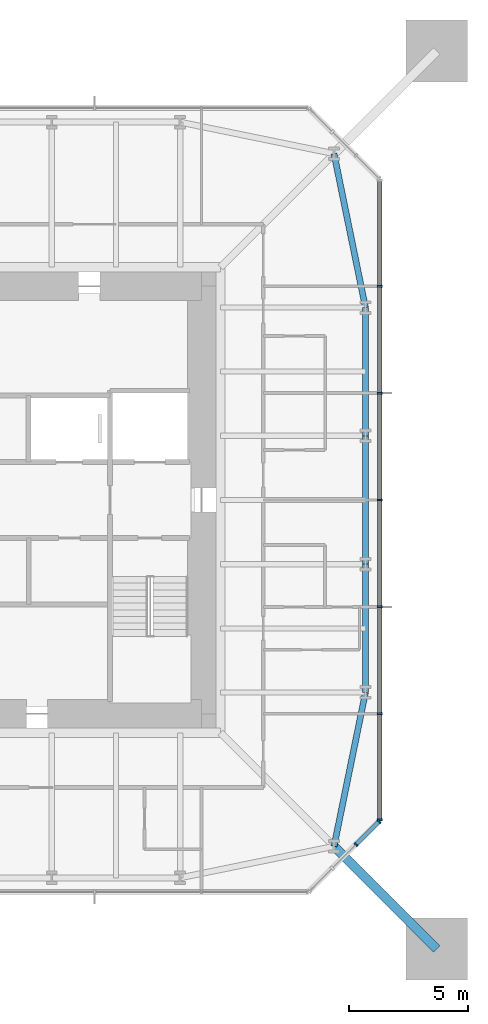
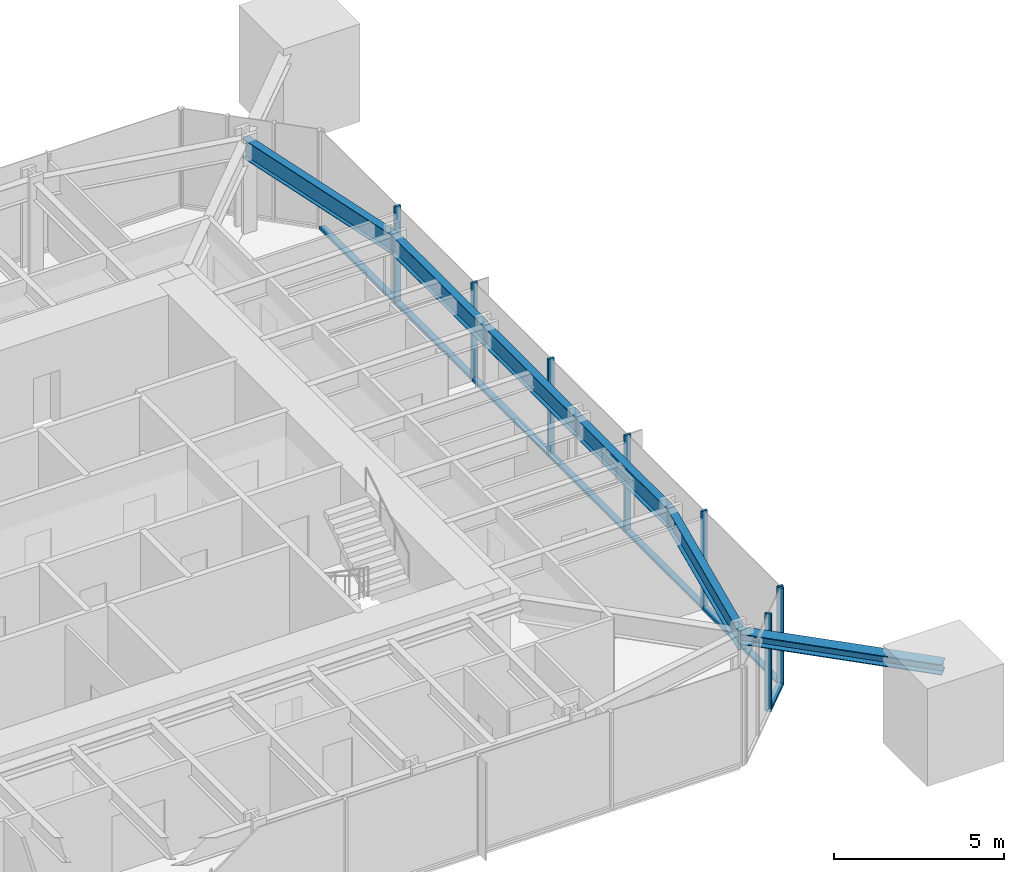
# One storey, part 3 of 9: 16 members, 5 beams, 2 elements without a shape of their own.
"""IFC4 building model written with IfcOpenShell, lengths in metres."""

from ifc_helpers import new_model, si_unit, direction, frame, origin, origin_2d, place, context, subcontext, project, spatial, rectangle, i_section, extrude, material, material_profile, profile_set, type_object, element, aggregate, save


model = new_model("IFC4")

# Units and contexts
model_context = context("Model", 3, precision=1e-05, world=origin(), true_north=direction((0.0, 1.0)))
body_context = subcontext(model_context, "Body", "Model", "MODEL_VIEW")
ifc_project = project(units=[si_unit("LENGTHUNIT", "METRE"), si_unit("AREAUNIT", "SQUARE_METRE"), si_unit("VOLUMEUNIT", "CUBIC_METRE"), si_unit("PLANEANGLEUNIT", "RADIAN"), si_unit("MASSUNIT", "GRAM", prefix="KILO")], contexts=[model_context])

# Site, building, storey
site_placement = place(None, origin())
site = spatial("IfcSite", under=ifc_project, at=site_placement, CompositionType="ELEMENT")
building_placement = place(site_placement, origin())
building = spatial("IfcBuilding", under=site, at=building_placement, Name="Iwan Alto Co-Living Towers", CompositionType="ELEMENT")
storey_placement = place(building_placement, frame((0.0, 0.0, 264.0)))
storey = spatial("IfcBuildingStorey", under=building, at=storey_placement, Name="L72", CompositionType="ELEMENT", Elevation=264.0)

# Curtain wall, members
ifc_material_1 = material(Name="Bronze aluminium unitised frame", Category="aluminium")
curtain_wall_type_1 = type_object("IfcCurtainWallType", Name="CURTAIN WALL CW-A", PredefinedType="NOTDEFINED", material=ifc_material_1)
curtain_wall_1_placement = place(storey_placement, origin())
curtain_wall_1 = element("IfcCurtainWall", 1, at=curtain_wall_1_placement, inside=storey, type_object=curtain_wall_type_1, Name="T1 curtain wall E L72", PredefinedType="NOTDEFINED")
ifc_material_2 = material(Name="Aluminium 6063-T6 bronze anodised", Category="aluminium")
ifc_material_profile_1 = material_profile(ifc_material_2, rectangle(XDim=0.199951171875, YDim=0.080078125, at=origin_2d()), Name="AL 80X200")
ifc_profile_set_1 = profile_set([ifc_material_profile_1], Name="Aluminium 6063-T6 bronze anodised")
member_type_1 = type_object("IfcMemberType", Name="CW-A MULLION 80X200", PredefinedType="MULLION", material=ifc_profile_set_1)
member_1_placement = place(storey_placement, frame((16.5, -13.4599609375, 0.0), z_axis=(0.0, 0.0, 1.0), x_axis=(-1.0, 0.0, 0.0)))
member_1 = element("IfcMember", 2, at=member_1_placement, type_object=member_type_1, Name="CW-A mullion 1", PredefinedType="MULLION", context=body_context, shape_type="SweptSolid", body=[
    extrude(rectangle(XDim=0.199951171875, YDim=0.080078125, at=origin_2d()), origin(), (0.0, 0.0, 1.0), 3.5),
])
member_2_placement = place(storey_placement, frame((16.5, -9.0, 0.0), z_axis=(0.0, 0.0, 1.0), x_axis=(-1.0, 0.0, 0.0)))
member_2 = element("IfcMember", 3, at=member_2_placement, type_object=member_type_1, Name="CW-A mullion 2", PredefinedType="MULLION", context=body_context, shape_type="SweptSolid", body=[
    extrude(rectangle(XDim=0.199951171875, YDim=0.080078125, at=origin_2d()), origin(), (0.0, 0.0, 1.0), 3.5),
])
member_3_placement = place(storey_placement, frame((16.5, -4.5, 0.0), z_axis=(0.0, 0.0, 1.0), x_axis=(-1.0, 0.0, 0.0)))
member_3 = element("IfcMember", 4, at=member_3_placement, type_object=member_type_1, Name="CW-A mullion 3", PredefinedType="MULLION", context=body_context, shape_type="SweptSolid", body=[
    extrude(rectangle(XDim=0.199951171875, YDim=0.080078125, at=origin_2d()), origin(), (0.0, 0.0, 1.0), 3.5),
])
member_4_placement = place(storey_placement, frame((16.5, 0.0, 0.0), z_axis=(0.0, 0.0, 1.0), x_axis=(-1.0, 0.0, 0.0)))
member_4 = element("IfcMember", 5, at=member_4_placement, type_object=member_type_1, Name="CW-A mullion 4", PredefinedType="MULLION", context=body_context, shape_type="SweptSolid", body=[
    extrude(rectangle(XDim=0.199951171875, YDim=0.080078125, at=origin_2d()), origin(), (0.0, 0.0, 1.0), 3.5),
])
member_5_placement = place(storey_placement, frame((16.5, 4.5, 0.0), z_axis=(0.0, 0.0, 1.0), x_axis=(-1.0, 0.0, 0.0)))
member_5 = element("IfcMember", 6, at=member_5_placement, type_object=member_type_1, Name="CW-A mullion 5", PredefinedType="MULLION", context=body_context, shape_type="SweptSolid", body=[
    extrude(rectangle(XDim=0.199951171875, YDim=0.080078125, at=origin_2d()), origin(), (0.0, 0.0, 1.0), 3.5),
])
member_6_placement = place(storey_placement, frame((16.5, 9.0, 0.0), z_axis=(0.0, 0.0, 1.0), x_axis=(-1.0, 0.0, 0.0)))
member_6 = element("IfcMember", 7, at=member_6_placement, type_object=member_type_1, Name="CW-A mullion 6", PredefinedType="MULLION", context=body_context, shape_type="SweptSolid", body=[
    extrude(rectangle(XDim=0.199951171875, YDim=0.080078125, at=origin_2d()), origin(), (0.0, 0.0, 1.0), 3.5),
])
ifc_material_3 = material(Name="Aluminium 6063-T6 bronze anodised", Category="aluminium")
ifc_material_profile_2 = material_profile(ifc_material_3, rectangle(XDim=0.199951171875, YDim=0.10009765625, at=origin_2d()), Name="AL 200X100")
ifc_profile_set_2 = profile_set([ifc_material_profile_2], Name="Aluminium 6063-T6 bronze anodised")
member_type_2 = type_object("IfcMemberType", Name="CW-A TRANSOM 200X100", PredefinedType="USERDEFINED", material=ifc_profile_set_2)
member_7_placement = place(storey_placement, frame((16.5, -13.419921875, 0.050048828125), z_axis=(0.0, 1.0, 0.0), x_axis=(-1.0, 0.0, 0.0)))
member_7 = element("IfcMember", 8, at=member_7_placement, type_object=member_type_2, Name="CW-A transom 1.1", ObjectType="TRANSOM", PredefinedType="USERDEFINED", context=body_context, shape_type="SweptSolid", body=[
    extrude(rectangle(XDim=0.199951171875, YDim=0.10009765625, at=origin_2d()), origin(), (0.0, 0.0, 1.0), 4.3798828125),
])
member_8_placement = place(storey_placement, frame((16.5, -8.9599609375, 0.050048828125), z_axis=(0.0, 1.0, 0.0), x_axis=(-1.0, 0.0, 0.0)))
member_8 = element("IfcMember", 9, at=member_8_placement, type_object=member_type_2, Name="CW-A transom 2.1", ObjectType="TRANSOM", PredefinedType="USERDEFINED", context=body_context, shape_type="SweptSolid", body=[
    extrude(rectangle(XDim=0.199951171875, YDim=0.10009765625, at=origin_2d()), origin(), (0.0, 0.0, 1.0), 4.419921875),
])
member_9_placement = place(storey_placement, frame((16.5, -4.4599609375, 0.050048828125), z_axis=(0.0, 1.0, 0.0), x_axis=(-1.0, 0.0, 0.0)))
member_9 = element("IfcMember", 10, at=member_9_placement, type_object=member_type_2, Name="CW-A transom 3.1", ObjectType="TRANSOM", PredefinedType="USERDEFINED", context=body_context, shape_type="SweptSolid", body=[
    extrude(rectangle(XDim=0.199951171875, YDim=0.10009765625, at=origin_2d()), origin(), (0.0, 0.0, 1.0), 4.419921875),
])
member_10_placement = place(storey_placement, frame((16.5, 0.0400390625, 0.050048828125), z_axis=(0.0, 1.0, 0.0), x_axis=(-1.0, 0.0, 0.0)))
member_10 = element("IfcMember", 11, at=member_10_placement, type_object=member_type_2, Name="CW-A transom 4.1", ObjectType="TRANSOM", PredefinedType="USERDEFINED", context=body_context, shape_type="SweptSolid", body=[
    extrude(rectangle(XDim=0.199951171875, YDim=0.10009765625, at=origin_2d()), origin(), (0.0, 0.0, 1.0), 4.419921875),
])
member_11_placement = place(storey_placement, frame((16.5, 4.5400390625, 0.050048828125), z_axis=(0.0, 1.0, 0.0), x_axis=(-1.0, 0.0, 0.0)))
member_11 = element("IfcMember", 12, at=member_11_placement, type_object=member_type_2, Name="CW-A transom 5.1", ObjectType="TRANSOM", PredefinedType="USERDEFINED", context=body_context, shape_type="SweptSolid", body=[
    extrude(rectangle(XDim=0.199951171875, YDim=0.10009765625, at=origin_2d()), origin(), (0.0, 0.0, 1.0), 4.419921875),
])
member_12_placement = place(storey_placement, frame((16.5, 9.0400390625, 0.050048828125), z_axis=(0.0, 1.0, 0.0), x_axis=(-1.0, 0.0, 0.0)))
member_12 = element("IfcMember", 13, at=member_12_placement, type_object=member_type_2, Name="CW-A transom 6.1", ObjectType="TRANSOM", PredefinedType="USERDEFINED", context=body_context, shape_type="SweptSolid", body=[
    extrude(rectangle(XDim=0.199951171875, YDim=0.10009765625, at=origin_2d()), origin(), (0.0, 0.0, 1.0), 4.3798828125),
])
aggregate(curtain_wall_1, [member_1, member_2, member_3, member_4, member_5, member_6, member_7, member_8, member_9, member_10, member_11, member_12])

ifc_material_4 = material(Name="Bronze aluminium unitised frame", Category="aluminium")
curtain_wall_type_2 = type_object("IfcCurtainWallType", Name="CURTAIN WALL CW-B", PredefinedType="NOTDEFINED", material=ifc_material_4)
curtain_wall_2_placement = place(storey_placement, origin())
curtain_wall_2 = element("IfcCurtainWall", 14, at=curtain_wall_2_placement, inside=storey, type_object=curtain_wall_type_2, Name="T1 chamfer curtain wall SE L72", PredefinedType="NOTDEFINED")
ifc_material_5 = material(Name="Aluminium 6063-T6 bronze anodised", Category="aluminium")
ifc_material_profile_3 = material_profile(ifc_material_5, rectangle(XDim=0.199951171875, YDim=0.080078125, at=origin_2d()), Name="AL 80X200")
ifc_profile_set_3 = profile_set([ifc_material_profile_3], Name="Aluminium 6063-T6 bronze anodised")
member_type_3 = type_object("IfcMemberType", Name="CW-B MULLION 80X200", PredefinedType="MULLION", material=ifc_profile_set_3)
member_13_placement = place(storey_placement, frame((15.5, -14.5, 0.0), z_axis=(0.0, 0.0, 1.0), x_axis=(-0.707106781187, 0.707106781187, 0.0)))
member_13 = element("IfcMember", 15, at=member_13_placement, type_object=member_type_3, Name="CW-B mullion 3", PredefinedType="MULLION", context=body_context, shape_type="SweptSolid", body=[
    extrude(rectangle(XDim=0.199951171875, YDim=0.080078125, at=origin_2d()), origin(), (0.0, 0.0, 1.0), 3.5),
])
member_14_placement = place(storey_placement, frame((16.4716796875, -13.5283203125, 0.0), z_axis=(0.0, 0.0, 1.0), x_axis=(-0.707106781187, 0.707106781187, 0.0)))
member_14 = element("IfcMember", 16, at=member_14_placement, type_object=member_type_3, Name="CW-B mullion 4", PredefinedType="MULLION", context=body_context, shape_type="SweptSolid", body=[
    extrude(rectangle(XDim=0.199951171875, YDim=0.080078125, at=origin_2d()), origin(), (0.0, 0.0, 1.0), 3.5),
])
ifc_material_6 = material(Name="Aluminium 6063-T6 bronze anodised", Category="aluminium")
ifc_material_profile_4 = material_profile(ifc_material_6, rectangle(XDim=0.199951171875, YDim=0.10009765625, at=origin_2d()), Name="AL 200X100")
ifc_profile_set_4 = profile_set([ifc_material_profile_4], Name="Aluminium 6063-T6 bronze anodised")
member_type_4 = type_object("IfcMemberType", Name="CW-B TRANSOM 200X100", PredefinedType="USERDEFINED", material=ifc_profile_set_4)
member_15_placement = place(storey_placement, frame((15.5283203125, -14.4716796875, 0.050048828125), z_axis=(0.707106781187, 0.707106781187, 0.0), x_axis=(-0.707106781187, 0.707106781187, 0.0)))
member_15 = element("IfcMember", 17, at=member_15_placement, type_object=member_type_4, Name="CW-B transom 3.1", ObjectType="TRANSOM", PredefinedType="USERDEFINED", context=body_context, shape_type="SweptSolid", body=[
    extrude(rectangle(XDim=0.199951171875, YDim=0.10009765625, at=origin_2d()), origin(), (0.0, 0.0, 1.0), 1.2939453125),
])
aggregate(curtain_wall_2, [member_13, member_14, member_15])

# Beams
ifc_material_7 = material(Name="Steel ASTM A992 Gr 50", Category="steel")
ifc_material_profile_5 = material_profile(ifc_material_7, i_section(OverallWidth=0.25390625, OverallDepth=0.683349609375, WebThickness=0.012451171875, FlangeThickness=0.018798828125, at=origin_2d()), Name="W27X94")
ifc_profile_set_5 = profile_set([ifc_material_profile_5], Name="Steel ASTM A992 Gr 50")
beam_type = type_object("IfcBeamType", Name="T1 EDGE BEAM W27X94", PredefinedType="BEAM", material=ifc_profile_set_5)
beam_1_placement = place(storey_placement, frame((14.57568359375, -14.57568359375, 2.908447265625), z_axis=(0.200347889618, 0.979724820103, 0.0), x_axis=(-0.979724820103, 0.200347889618, 0.0)))
element("IfcBeam", 18, at=beam_1_placement, inside=storey, type_object=beam_type, Name="T1 edge beam CSE RF", PredefinedType="BEAM", context=body_context, shape_type="SweptSolid", body=[
    extrude(i_section(OverallWidth=0.25390625, OverallDepth=0.683349609375, WebThickness=0.012451171875, FlangeThickness=0.018798828125, at=origin_2d()), origin(), (0.0, 0.0, 1.0), 6.609619140625),
])
beam_2_placement = place(storey_placement, frame((15.89990234375, -8.10009765625, 2.908447265625), z_axis=(0.0, 1.0, 0.0), x_axis=(-1.0, 0.0, 0.0)))
element("IfcBeam", 19, at=beam_2_placement, inside=storey, type_object=beam_type, Name="T1 edge beam E1 RF", PredefinedType="BEAM", context=body_context, shape_type="SweptSolid", body=[
    extrude(i_section(OverallWidth=0.25390625, OverallDepth=0.683349609375, WebThickness=0.012451171875, FlangeThickness=0.018798828125, at=origin_2d()), origin(), (0.0, 0.0, 1.0), 5.400146484375),
])
beam_3_placement = place(storey_placement, frame((15.89990234375, -2.699951171875, 2.908447265625), z_axis=(0.0, 1.0, 0.0), x_axis=(-1.0, 0.0, 0.0)))
element("IfcBeam", 20, at=beam_3_placement, inside=storey, type_object=beam_type, Name="T1 edge beam E2 RF", PredefinedType="BEAM", context=body_context, shape_type="SweptSolid", body=[
    extrude(i_section(OverallWidth=0.25390625, OverallDepth=0.683349609375, WebThickness=0.012451171875, FlangeThickness=0.018798828125, at=origin_2d()), origin(), (0.0, 0.0, 1.0), 5.39990234375),
])
beam_4_placement = place(storey_placement, frame((15.89990234375, 2.699951171875, 2.908447265625), z_axis=(0.0, 1.0, 0.0), x_axis=(-1.0, 0.0, 0.0)))
element("IfcBeam", 21, at=beam_4_placement, inside=storey, type_object=beam_type, Name="T1 edge beam E3 RF", PredefinedType="BEAM", context=body_context, shape_type="SweptSolid", body=[
    extrude(i_section(OverallWidth=0.25390625, OverallDepth=0.683349609375, WebThickness=0.012451171875, FlangeThickness=0.018798828125, at=origin_2d()), origin(), (0.0, 0.0, 1.0), 5.400146484375),
])
beam_5_placement = place(storey_placement, frame((15.89990234375, 8.10009765625, 2.908447265625), z_axis=(-0.200347889618, 0.979724820103, 0.0), x_axis=(-0.979724820103, -0.200347889618, 0.0)))
element("IfcBeam", 22, at=beam_5_placement, inside=storey, type_object=beam_type, Name="T1 edge beam E4 RF", PredefinedType="BEAM", context=body_context, shape_type="SweptSolid", body=[
    extrude(i_section(OverallWidth=0.25390625, OverallDepth=0.683349609375, WebThickness=0.012451171875, FlangeThickness=0.018798828125, at=origin_2d()), origin(), (0.0, 0.0, 1.0), 6.609619140625),
])

# Member
ifc_material_8 = material(Name="Steel ASTM A992 Gr 50", Category="steel")
ifc_material_profile_6 = material_profile(ifc_material_8, i_section(OverallWidth=0.393798828125, OverallDepth=0.3759765625, WebThickness=0.017333984375, FlangeThickness=0.027587890625, at=origin_2d()), Name="W14X145")
ifc_profile_set_6 = profile_set([ifc_material_profile_6], Name="Steel ASTM A992 Gr 50")
member_type_5 = type_object("IfcMemberType", Name="T1 MEGA COLUMN FLOOR TIE W14X145", PredefinedType="STRUT", material=ifc_profile_set_6)
member_16_placement = place(storey_placement, frame((18.89990234375, -18.89990234375, 3.06201171875), z_axis=(-0.707106781187, 0.707106781187, 0.0), x_axis=(-0.707106781187, -0.707106781187, 0.0)))
element("IfcMember", 23, at=member_16_placement, inside=storey, type_object=member_type_5, Name="T1 mega column floor tie SE RF", PredefinedType="STRUT", context=body_context, shape_type="SweptSolid", body=[
    extrude(i_section(OverallWidth=0.393798828125, OverallDepth=0.3759765625, WebThickness=0.017333984375, FlangeThickness=0.027587890625, at=origin_2d()), origin(), (0.0, 0.0, 1.0), 6.115478515625),
])

save(model, "model.ifc")
